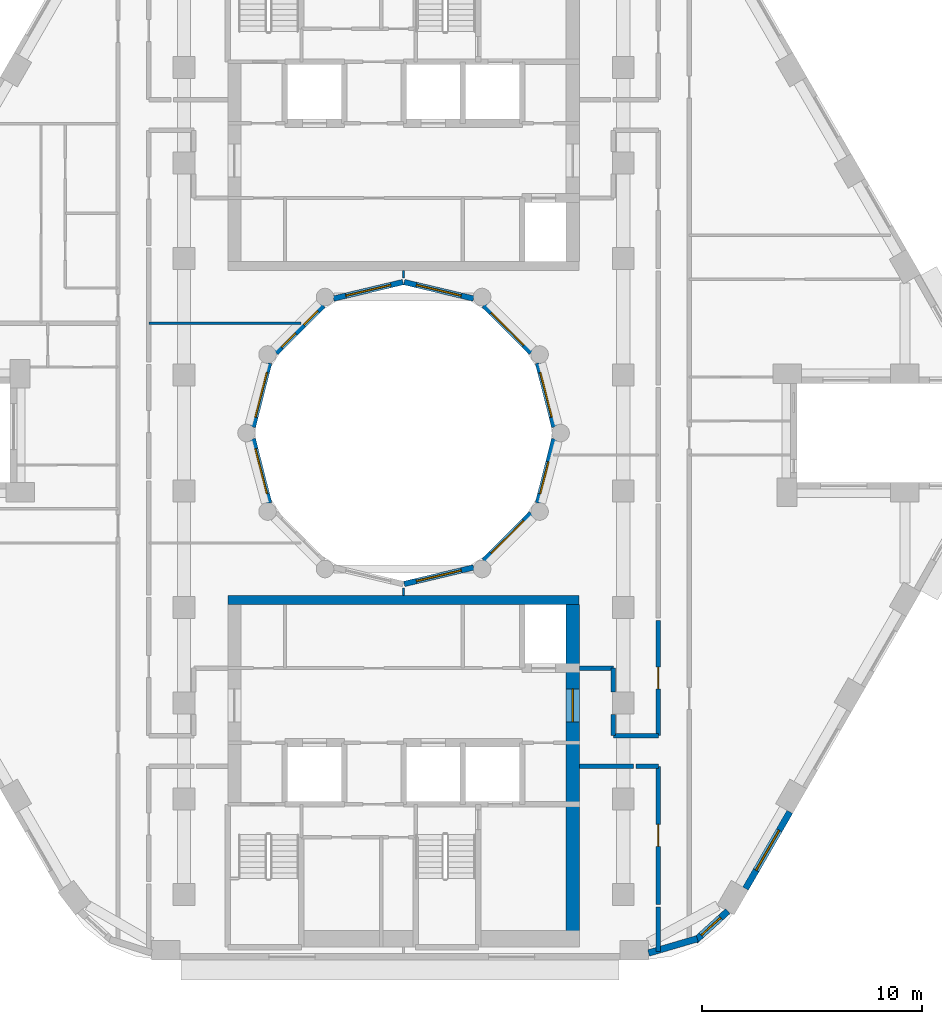
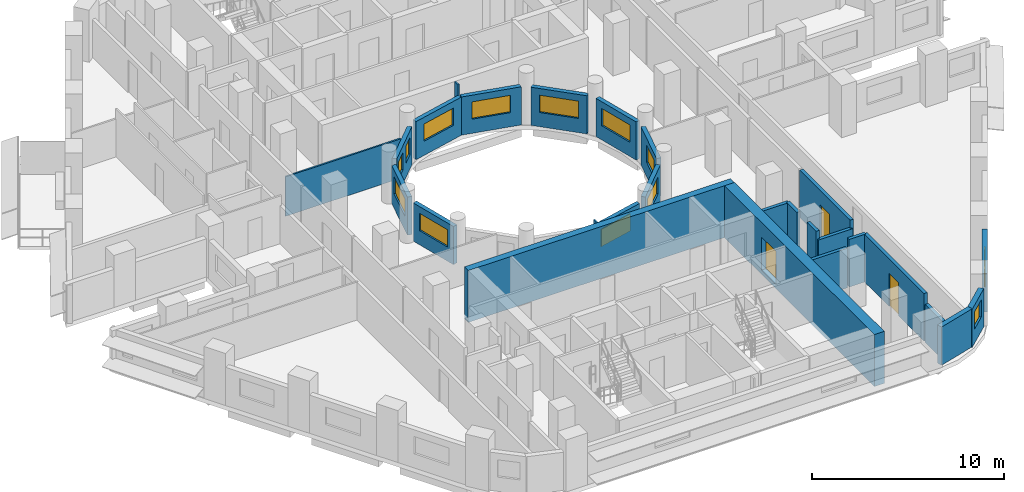
# One storey, part 5 of 13: 27 walls, 13 windows, 3 doors, 16 openings.
"""IFC4 building model written with IfcOpenShell, lengths in metres."""

from ifc_helpers import new_model, si_unit, direction, frame, frame_2d, origin, place, context, subcontext, project, spatial, rectangle, extrude, material, layer, layer_set, type_object, element, fill, save


model = new_model("IFC4")

# Units and contexts
model_context = context("Model", 3, precision=1e-05, world=origin(), true_north=direction((0.0, 1.0)))
body_context = subcontext(model_context, "Body", "Model", "MODEL_VIEW")
ifc_project = project(units=[si_unit("LENGTHUNIT", "METRE"), si_unit("AREAUNIT", "SQUARE_METRE"), si_unit("VOLUMEUNIT", "CUBIC_METRE"), si_unit("PLANEANGLEUNIT", "RADIAN"), si_unit("MASSUNIT", "GRAM", prefix="KILO")], contexts=[model_context])

# Site, building, storey
site_placement = place(None, origin())
site = spatial("IfcSite", under=ifc_project, at=site_placement, CompositionType="ELEMENT")
building_placement = place(site_placement, origin())
building = spatial("IfcBuilding", under=site, at=building_placement, Name="Nakaniwa Court", CompositionType="ELEMENT")
storey_placement = place(building_placement, frame((0.0, 0.0, 150.300048828125)))
storey = spatial("IfcBuildingStorey", under=building, at=storey_placement, Name="L39", CompositionType="ELEMENT", Elevation=150.300048828125)

# Wall
ifc_material_1 = material(Name="Acoustic double stud partition")
ifc_layer_1 = layer(ifc_material_1, 0.199951171875)
ifc_layer_set_1 = layer_set([ifc_layer_1], Name="Acoustic double stud partition")
wall_type_1 = type_object("IfcWallType", Name="Acoustic double stud partition 200", PredefinedType="PARTITIONING", material=ifc_layer_set_1)
wall_1_placement = place(storey_placement, frame((91.60009765625, 56.40087890625, 0.0), z_axis=(0.0, 0.0, 1.0), x_axis=(0.0, 1.0, 0.0)))
element("IfcWall", 1, at=wall_1_placement, inside=storey, type_object=wall_type_1, Name="Partition PW-067", PredefinedType="PARTITIONING", context=body_context, shape_type="SweptSolid", body=[
    extrude(rectangle(XDim=2.02197265625, YDim=0.199951171875, at=frame_2d((1.010986328125, 0.0))), origin(), (0.0, 0.0, 1.0), 2.405029296875),
])

# Wall, opening, door
wall_2_placement = place(storey_placement, frame((91.60009765625, 58.537109375, 0.0), z_axis=(0.0, 0.0, 1.0), x_axis=(0.0, 1.0, 0.0)))
wall_2 = element("IfcWall", 2, at=wall_2_placement, inside=storey, type_object=wall_type_1, Name="Partition PW-068", PredefinedType="PARTITIONING", context=body_context, shape_type="SweptSolid", body=[
    extrude(rectangle(XDim=6.287841796875, YDim=0.199951171875, at=frame_2d((3.14404296875, 0.0))), origin(), (0.0, 0.0, 1.0), 3.02490234375),
])
opening_1_placement = place(wall_2_placement, frame((2.64501953125, 0.0, 0.0)))
opening_1 = element("IfcOpeningElement", 3, at=opening_1_placement, cuts=wall_2, Name="Opening D-02-01", PredefinedType="OPENING", context=body_context, shape_type="SweptSolid", body=[
    extrude(rectangle(XDim=1.0, YDim=2.10009765625, at=frame_2d((0.5, 1.050048828125))), frame((0.0, 0.10986328125, 0.0), z_axis=(0.0, -1.0, 0.0), x_axis=(1.0, 0.0, 0.0)), (0.0, 0.0, 1.0), 0.219970703125),
])
ifc_material_2 = material(Name="Solid core timber door set, black veneer", Category="wood")
door_type_1 = type_object("IfcDoorType", Name="Internal door 1000", OperationType="NOTDEFINED", PredefinedType="DOOR", material=ifc_material_2)
door_1_placement = place(opening_1_placement, origin())
door_1 = element("IfcDoor", 4, at=door_1_placement, inside=storey, type_object=door_type_1, Name="Door D-02-01 L39-023", OperationType="SINGLE_SWING_RIGHT", OverallHeight=2.10009765625, OverallWidth=1.0, PredefinedType="DOOR", context=body_context, shape_type="SweptSolid", body=[
    extrude(rectangle(XDim=1.0, YDim=2.10009765625, at=frame_2d((0.5, 1.050048828125))), frame((0.0, 0.02490234375, 0.0), z_axis=(0.0, -1.0, 0.0), x_axis=(1.0, 0.0, 0.0)), (0.0, 0.0, 1.0), 0.050048828125),
])
fill(opening_1, door_1)

wall_3_placement = place(storey_placement, frame((91.60009765625, 66.22509765625, 0.0), z_axis=(0.0, 0.0, 1.0), x_axis=(0.0, 1.0, 0.0)))
wall_3 = element("IfcWall", 5, at=wall_3_placement, inside=storey, type_object=wall_type_1, Name="Partition PW-069", PredefinedType="PARTITIONING", context=body_context, shape_type="SweptSolid", body=[
    extrude(rectangle(XDim=5.247802734375, YDim=0.199951171875, at=frame_2d((2.6240234375, 0.0))), origin(), (0.0, 0.0, 1.0), 3.02490234375),
])
opening_2_placement = place(wall_3_placement, frame((2.123046875, 0.0, 0.0)))
opening_2 = element("IfcOpeningElement", 6, at=opening_2_placement, cuts=wall_3, Name="Opening D-02-03", PredefinedType="OPENING", context=body_context, shape_type="SweptSolid", body=[
    extrude(rectangle(XDim=1.0, YDim=2.10009765625, at=frame_2d((0.5, 1.050048828125))), frame((0.0, 0.10986328125, 0.0), z_axis=(0.0, -1.0, 0.0), x_axis=(1.0, 0.0, 0.0)), (0.0, 0.0, 1.0), 0.219970703125),
])
door_2_placement = place(opening_2_placement, origin())
door_2 = element("IfcDoor", 7, at=door_2_placement, inside=storey, type_object=door_type_1, Name="Door D-02-03 L39-025", OperationType="SINGLE_SWING_RIGHT", OverallHeight=2.10009765625, OverallWidth=1.0, PredefinedType="DOOR", context=body_context, shape_type="SweptSolid", body=[
    extrude(rectangle(XDim=1.0, YDim=2.10009765625, at=frame_2d((0.5, 1.050048828125))), frame((0.0, 0.02490234375, 0.0), z_axis=(0.0, -1.0, 0.0), x_axis=(1.0, 0.0, 0.0)), (0.0, 0.0, 1.0), 0.050048828125),
])
fill(opening_2, door_2)

# Walls
wall_4_placement = place(storey_placement, frame((88.0, 64.824951171875, 0.0), z_axis=(0.0, 0.0, 1.0), x_axis=(1.0, 0.0, 0.0)))
element("IfcWall", 8, at=wall_4_placement, inside=storey, type_object=wall_type_1, Name="Partition PW-078", PredefinedType="PARTITIONING", context=body_context, shape_type="SweptSolid", body=[
    extrude(rectangle(XDim=2.462890625, YDim=0.199951171875, at=frame_2d((1.2314453125, 0.0))), origin(), (0.0, 0.0, 1.0), 2.5048828125),
])
wall_5_placement = place(storey_placement, frame((90.5771484375, 64.824951171875, 0.0), z_axis=(0.0, 0.0, 1.0), x_axis=(1.0, 0.0, 0.0)))
element("IfcWall", 9, at=wall_5_placement, inside=storey, type_object=wall_type_1, Name="Partition PW-079", PredefinedType="PARTITIONING", context=body_context, shape_type="SweptSolid", body=[
    extrude(rectangle(XDim=1.02294921875, YDim=0.199951171875, at=frame_2d((0.511474609375, 0.0))), origin(), (0.0, 0.0, 1.0), 3.02490234375),
])
wall_6_placement = place(storey_placement, frame((88.0, 69.300048828125, 0.0), z_axis=(0.0, 0.0, 1.0), x_axis=(1.0, 0.0, 0.0)))
element("IfcWall", 10, at=wall_6_placement, inside=storey, type_object=wall_type_1, Name="Partition PW-082", PredefinedType="PARTITIONING", context=body_context, shape_type="SweptSolid", body=[
    extrude(rectangle(XDim=1.550048828125, YDim=0.199951171875, at=frame_2d((0.77490234375, 0.0))), origin(), (0.0, 0.0, 1.0), 3.02490234375),
])
wall_7_placement = place(storey_placement, frame((89.550048828125, 66.22509765625, 0.0), z_axis=(0.0, 0.0, 1.0), x_axis=(0.0, 1.0, 0.0)))
element("IfcWall", 11, at=wall_7_placement, inside=storey, type_object=wall_type_1, Name="Partition PW-083", PredefinedType="PARTITIONING", context=body_context, shape_type="SweptSolid", body=[
    extrude(rectangle(XDim=0.957763671875, YDim=0.199951171875, at=frame_2d((0.47900390625, 0.0))), origin(), (0.0, 0.0, 1.0), 3.02490234375),
])
wall_8_placement = place(storey_placement, frame((89.550048828125, 68.21728515625, 0.0), z_axis=(0.0, 0.0, 1.0), x_axis=(0.0, 1.0, 0.0)))
element("IfcWall", 12, at=wall_8_placement, inside=storey, type_object=wall_type_1, Name="Partition PW-084", PredefinedType="PARTITIONING", context=body_context, shape_type="SweptSolid", body=[
    extrude(rectangle(XDim=1.082763671875, YDim=0.199951171875, at=frame_2d((0.54150390625, 0.0))), origin(), (0.0, 0.0, 1.0), 3.02490234375),
])
wall_9_placement = place(storey_placement, frame((89.550048828125, 66.22509765625, 0.0), z_axis=(0.0, 0.0, 1.0), x_axis=(1.0, 0.0, 0.0)))
element("IfcWall", 13, at=wall_9_placement, inside=storey, type_object=wall_type_1, Name="Partition PW-088", PredefinedType="PARTITIONING", context=body_context, shape_type="SweptSolid", body=[
    extrude(rectangle(XDim=2.050048828125, YDim=0.199951171875, at=frame_2d((1.02490234375, 0.0))), origin(), (0.0, 0.0, 1.0), 2.5048828125),
])
ifc_material_3 = material(Name="Charcoal ceramic cladding")
ifc_layer_2 = layer(ifc_material_3, 0.02, Name="Ceramic cladding")
ifc_material_4 = material(Name="Ventilated air cavity")
ifc_layer_3 = layer(ifc_material_4, 0.04, ventilated=True, Name="Ventilated cavity")
ifc_material_5 = material(Name="Mineral wool insulation")
ifc_layer_4 = layer(ifc_material_5, 0.1, Name="Insulation")
ifc_material_6 = material(Name="Cement bonded sheathing board")
ifc_layer_5 = layer(ifc_material_6, 0.012, Name="Sheathing")
ifc_material_7 = material(Name="Cold-formed galvanised stud frame with mineral wool infill")
ifc_layer_6 = layer(ifc_material_7, 0.1, Name="Stud frame")
ifc_material_8 = material(Name="Fire-rated gypsum plasterboard lining")
ifc_layer_7 = layer(ifc_material_8, 0.028, Name="Lining")
ifc_layer_set_2 = layer_set([ifc_layer_2, ifc_layer_3, ifc_layer_4, ifc_layer_5, ifc_layer_6, ifc_layer_7], Name="Charcoal ceramic faced external wall system")
wall_type_2 = type_object("IfcWallType", Name="Black ceramic faced external wall 300", PredefinedType="SOLIDWALL", material=ifc_layer_set_2)
wall_10_placement = place(storey_placement, frame((91.1533203125, 56.328125, 0.0), z_axis=(0.0, 0.0, 1.0), x_axis=(0.959473072336, 0.281800325517, 0.0)))
element("IfcWall", 14, at=wall_10_placement, inside=storey, type_object=wall_type_2, Name="L39 external wall 27", PredefinedType="SOLIDWALL", context=body_context, shape_type="SweptSolid", body=[
    extrude(rectangle(XDim=2.3115234375, YDim=0.300048828125, at=frame_2d((1.15576171875, 0.0))), origin(), (0.0, 0.0, 1.0), 2.425048828125),
])

# Wall, opening, window
wall_11_placement = place(storey_placement, frame((93.2783203125, 56.890380859375, 0.0), z_axis=(0.0, 0.0, 1.0), x_axis=(0.740652597499, 0.671888182526, 0.0)))
wall_11 = element("IfcWall", 15, at=wall_11_placement, inside=storey, type_object=wall_type_2, Name="L39 external wall 28", PredefinedType="SOLIDWALL", context=body_context, shape_type="SweptSolid", body=[
    extrude(rectangle(XDim=1.998779296875, YDim=0.300048828125, at=frame_2d((0.99951171875, 0.0))), origin(), (0.0, 0.0, 1.0), 2.425048828125),
])
opening_3_placement = place(wall_11_placement, frame((0.359619140625, 0.0, 0.89990234375)))
opening_3 = element("IfcOpeningElement", 16, at=opening_3_placement, cuts=wall_11, Name="Opening W6.27", PredefinedType="OPENING", context=body_context, shape_type="SweptSolid", body=[
    extrude(rectangle(XDim=1.199951171875, YDim=1.10009765625, at=frame_2d((0.60009765625, 0.550048828125))), frame((0.0, 0.159912109375, 0.0), z_axis=(0.0, -1.0, 0.0), x_axis=(1.0, 0.0, 0.0)), (0.0, 0.0, 1.0), 0.320068359375),
])
ifc_material_9 = material(Name="Black anodised aluminium frame with dark low-E laminated double glazing", Category="aluminium")
window_type_1 = type_object("IfcWindowType", Name="Dark glass window 1200x1100 sill 900", PartitioningType="SINGLE_PANEL", PredefinedType="WINDOW", material=ifc_material_9)
window_1_placement = place(opening_3_placement, origin())
window_1 = element("IfcWindow", 17, at=window_1_placement, inside=storey, type_object=window_type_1, Name="L39 habitable room window 28-0", OverallHeight=1.10009765625, OverallWidth=1.199951171875, PartitioningType="SINGLE_PANEL", PredefinedType="WINDOW", context=body_context, shape_type="SweptSolid", body=[
    extrude(rectangle(XDim=1.199951171875, YDim=1.10009765625, at=frame_2d((0.60009765625, 0.550048828125))), frame((0.0, 0.030029296875, 0.0), z_axis=(0.0, -1.0, 0.0), x_axis=(1.0, 0.0, 0.0)), (0.0, 0.0, 1.0), 0.06005859375),
])
fill(opening_3, window_1)

wall_12_placement = place(storey_placement, frame((95.565185546875, 59.260009765625, 0.0), z_axis=(0.0, 0.0, 1.0), x_axis=(0.500031546601, 0.86600718958, 0.0)))
wall_12 = element("IfcWall", 18, at=wall_12_placement, inside=storey, type_object=wall_type_2, Name="L39 external wall 29", PredefinedType="SOLIDWALL", context=body_context, shape_type="SweptSolid", body=[
    extrude(rectangle(XDim=4.033935546875, YDim=0.300048828125, at=frame_2d((2.01708984375, 0.0))), origin(), (0.0, 0.0, 1.0), 2.425048828125),
])
opening_4_placement = place(wall_12_placement, frame((0.967041015625, 0.0, 0.89990234375)))
opening_4 = element("IfcOpeningElement", 19, at=opening_4_placement, cuts=wall_12, Name="Opening W7.28", PredefinedType="OPENING", context=body_context, shape_type="SweptSolid", body=[
    extrude(rectangle(XDim=2.10009765625, YDim=1.10009765625, at=frame_2d((1.050048828125, 0.550048828125))), frame((0.0, 0.159912109375, 0.0), z_axis=(0.0, -1.0, 0.0), x_axis=(1.0, 0.0, 0.0)), (0.0, 0.0, 1.0), 0.320068359375),
])
window_type_2 = type_object("IfcWindowType", Name="Dark glass window 2100x1100 sill 900", PartitioningType="SINGLE_PANEL", PredefinedType="WINDOW", material=ifc_material_9)
window_2_placement = place(opening_4_placement, origin())
window_2 = element("IfcWindow", 20, at=window_2_placement, inside=storey, type_object=window_type_2, Name="L39 habitable room window 29-0", OverallHeight=1.10009765625, OverallWidth=2.10009765625, PartitioningType="SINGLE_PANEL", PredefinedType="WINDOW", context=body_context, shape_type="SweptSolid", body=[
    extrude(rectangle(XDim=2.10009765625, YDim=1.10009765625, at=frame_2d((1.050048828125, 0.550048828125))), frame((0.0, 0.030029296875, 0.0), z_axis=(0.0, -1.0, 0.0), x_axis=(1.0, 0.0, 0.0)), (0.0, 0.0, 1.0), 0.06005859375),
])
fill(opening_4, window_2)

ifc_layer_8 = layer(ifc_material_3, 0.02, Name="Ceramic cladding")
ifc_layer_9 = layer(ifc_material_4, 0.04, ventilated=True, Name="Ventilated cavity")
ifc_layer_10 = layer(ifc_material_5, 0.075, Name="Insulation")
ifc_layer_11 = layer(ifc_material_6, 0.012, Name="Sheathing")
ifc_layer_12 = layer(ifc_material_7, 0.075, Name="Stud frame")
ifc_layer_13 = layer(ifc_material_8, 0.028, Name="Lining")
ifc_layer_set_3 = layer_set([ifc_layer_8, ifc_layer_9, ifc_layer_10, ifc_layer_11, ifc_layer_12, ifc_layer_13], Name="Charcoal ceramic faced external wall system")
wall_type_3 = type_object("IfcWallType", Name="Charcoal ceramic faced well wall 250", PredefinedType="SOLIDWALL", material=ifc_layer_set_3)
wall_13_placement = place(storey_placement, frame((86.8603515625, 79.72998046875, 0.0), z_axis=(0.0, 0.0, 1.0), x_axis=(-0.247055971283, -0.969001211069, 0.0)))
wall_13 = element("IfcWall", 21, at=wall_13_placement, inside=storey, type_object=wall_type_3, Name="L39 external wall 36", PredefinedType="SOLIDWALL", context=body_context, shape_type="SweptSolid", body=[
    extrude(rectangle(XDim=3.010009765625, YDim=0.25, at=frame_2d((1.5048828125, 0.0))), origin(), (0.0, 0.0, 1.0), 2.425048828125),
])
opening_5_placement = place(wall_13_placement, frame((1.077392578125, 0.0, 0.89990234375)))
opening_5 = element("IfcOpeningElement", 22, at=opening_5_placement, cuts=wall_13, Name="Opening W5.36", PredefinedType="OPENING", context=body_context, shape_type="SweptSolid", body=[
    extrude(rectangle(XDim=1.5, YDim=1.10009765625, at=frame_2d((0.75, 0.550048828125))), frame((0.0, 0.135009765625, 0.0), z_axis=(0.0, -1.0, 0.0), x_axis=(1.0, 0.0, 0.0)), (0.0, 0.0, 1.0), 0.27001953125),
])
window_type_3 = type_object("IfcWindowType", Name="Dark glass window 1500x1100 sill 900", PartitioningType="SINGLE_PANEL", PredefinedType="WINDOW", material=ifc_material_9)
window_3_placement = place(opening_5_placement, origin())
window_3 = element("IfcWindow", 23, at=window_3_placement, inside=storey, type_object=window_type_3, Name="L39 habitable room window 36-1", OverallHeight=1.10009765625, OverallWidth=1.5, PartitioningType="SINGLE_PANEL", PredefinedType="WINDOW", context=body_context, shape_type="SweptSolid", body=[
    extrude(rectangle(XDim=1.5, YDim=1.10009765625, at=frame_2d((0.75, 0.550048828125))), frame((0.0, 0.030029296875, 0.0), z_axis=(0.0, -1.0, 0.0), x_axis=(1.0, 0.0, 0.0)), (0.0, 0.0, 1.0), 0.06005859375),
])
fill(opening_5, window_3)

wall_14_placement = place(storey_placement, frame((85.8056640625, 76.339111328125, 0.0), z_axis=(0.0, 0.0, 1.0), x_axis=(-0.707106781187, -0.707106781187, 0.0)))
wall_14 = element("IfcWall", 24, at=wall_14_placement, inside=storey, type_object=wall_type_3, Name="L39 external wall 37", PredefinedType="SOLIDWALL", context=body_context, shape_type="SweptSolid", body=[
    extrude(rectangle(XDim=3.033203125, YDim=0.25, at=frame_2d((1.5166015625, 0.0))), origin(), (0.0, 0.0, 1.0), 2.425048828125),
])
opening_6_placement = place(wall_14_placement, frame((0.466552734375, 0.0, 0.89990234375)))
opening_6 = element("IfcOpeningElement", 25, at=opening_6_placement, cuts=wall_14, Name="Opening W7.37", PredefinedType="OPENING", context=body_context, shape_type="SweptSolid", body=[
    extrude(rectangle(XDim=2.10009765625, YDim=1.10009765625, at=frame_2d((1.050048828125, 0.550048828125))), frame((0.0, 0.135009765625, 0.0), z_axis=(0.0, -1.0, 0.0), x_axis=(1.0, 0.0, 0.0)), (0.0, 0.0, 1.0), 0.27001953125),
])
window_4_placement = place(opening_6_placement, origin())
window_4 = element("IfcWindow", 26, at=window_4_placement, inside=storey, type_object=window_type_2, Name="L39 habitable room window 37-0", OverallHeight=1.10009765625, OverallWidth=2.10009765625, PartitioningType="SINGLE_PANEL", PredefinedType="WINDOW", context=body_context, shape_type="SweptSolid", body=[
    extrude(rectangle(XDim=2.10009765625, YDim=1.10009765625, at=frame_2d((1.050048828125, 0.550048828125))), frame((0.0, 0.030029296875, 0.0), z_axis=(0.0, -1.0, 0.0), x_axis=(1.0, 0.0, 0.0)), (0.0, 0.0, 1.0), 0.06005859375),
])
fill(opening_6, window_4)

wall_15_placement = place(storey_placement, frame((83.186279296875, 73.880615234375, 0.0), z_axis=(0.0, 0.0, 1.0), x_axis=(-0.972773113459, -0.231759508395, 0.0)))
wall_15 = element("IfcWall", 27, at=wall_15_placement, inside=storey, type_object=wall_type_3, Name="L39 external wall 38", PredefinedType="SOLIDWALL", context=body_context, shape_type="SweptSolid", body=[
    extrude(rectangle(XDim=3.24560546875, YDim=0.25, at=frame_2d((1.622802734375, 0.0))), origin(), (0.0, 0.0, 1.0), 2.425048828125),
])
opening_7_placement = place(wall_15_placement, frame((0.57275390625, 0.0, 0.89990234375)))
opening_7 = element("IfcOpeningElement", 28, at=opening_7_placement, cuts=wall_15, Name="Opening W7.38", PredefinedType="OPENING", context=body_context, shape_type="SweptSolid", body=[
    extrude(rectangle(XDim=2.10009765625, YDim=1.10009765625, at=frame_2d((1.050048828125, 0.550048828125))), frame((0.0, 0.135009765625, 0.0), z_axis=(0.0, -1.0, 0.0), x_axis=(1.0, 0.0, 0.0)), (0.0, 0.0, 1.0), 0.27001953125),
])
window_5_placement = place(opening_7_placement, origin())
window_5 = element("IfcWindow", 29, at=window_5_placement, inside=storey, type_object=window_type_2, Name="L39 habitable room window 38-0", OverallHeight=1.10009765625, OverallWidth=2.10009765625, PartitioningType="SINGLE_PANEL", PredefinedType="WINDOW", context=body_context, shape_type="SweptSolid", body=[
    extrude(rectangle(XDim=2.10009765625, YDim=1.10009765625, at=frame_2d((1.050048828125, 0.550048828125))), frame((0.0, 0.030029296875, 0.0), z_axis=(0.0, -1.0, 0.0), x_axis=(1.0, 0.0, 0.0)), (0.0, 0.0, 1.0), 0.06005859375),
])
fill(opening_7, window_5)

wall_16_placement = place(storey_placement, frame((73.88330078125, 76.813232421875, 0.0), z_axis=(0.0, 0.0, 1.0), x_axis=(-0.247055971283, 0.969001211069, 0.0)))
wall_16 = element("IfcWall", 30, at=wall_16_placement, inside=storey, type_object=wall_type_3, Name="L39 external wall 41", PredefinedType="SOLIDWALL", context=body_context, shape_type="SweptSolid", body=[
    extrude(rectangle(XDim=3.010009765625, YDim=0.25, at=frame_2d((1.5048828125, 0.0))), origin(), (0.0, 0.0, 1.0), 2.425048828125),
])
opening_8_placement = place(wall_16_placement, frame((0.441162109375, 0.0, 0.89990234375)))
opening_8 = element("IfcOpeningElement", 31, at=opening_8_placement, cuts=wall_16, Name="Opening W7.42", PredefinedType="OPENING", context=body_context, shape_type="SweptSolid", body=[
    extrude(rectangle(XDim=2.10009765625, YDim=1.10009765625, at=frame_2d((1.050048828125, 0.550048828125))), frame((0.0, 0.135009765625, 0.0), z_axis=(0.0, -1.0, 0.0), x_axis=(1.0, 0.0, 0.0)), (0.0, 0.0, 1.0), 0.27001953125),
])
window_6_placement = place(opening_8_placement, origin())
window_6 = element("IfcWindow", 32, at=window_6_placement, inside=storey, type_object=window_type_2, Name="L39 habitable room window 41-0", OverallHeight=1.10009765625, OverallWidth=2.10009765625, PartitioningType="SINGLE_PANEL", PredefinedType="WINDOW", context=body_context, shape_type="SweptSolid", body=[
    extrude(rectangle(XDim=2.10009765625, YDim=1.10009765625, at=frame_2d((1.050048828125, 0.550048828125))), frame((0.0, 0.030029296875, 0.0), z_axis=(0.0, -1.0, 0.0), x_axis=(1.0, 0.0, 0.0)), (0.0, 0.0, 1.0), 0.06005859375),
])
fill(opening_8, window_6)

wall_17_placement = place(storey_placement, frame((73.1396484375, 80.27001953125, 0.0), z_axis=(0.0, 0.0, 1.0), x_axis=(0.247055971283, 0.969001211069, 0.0)))
wall_17 = element("IfcWall", 33, at=wall_17_placement, inside=storey, type_object=wall_type_3, Name="L39 external wall 42", PredefinedType="SOLIDWALL", context=body_context, shape_type="SweptSolid", body=[
    extrude(rectangle(XDim=3.010009765625, YDim=0.25, at=frame_2d((1.5048828125, 0.0))), origin(), (0.0, 0.0, 1.0), 2.425048828125),
])
opening_9_placement = place(wall_17_placement, frame((0.46875, 0.0, 0.89990234375)))
opening_9 = element("IfcOpeningElement", 34, at=opening_9_placement, cuts=wall_17, Name="Opening W7.43", PredefinedType="OPENING", context=body_context, shape_type="SweptSolid", body=[
    extrude(rectangle(XDim=2.10009765625, YDim=1.10009765625, at=frame_2d((1.050048828125, 0.550048828125))), frame((0.0, 0.135009765625, 0.0), z_axis=(0.0, -1.0, 0.0), x_axis=(1.0, 0.0, 0.0)), (0.0, 0.0, 1.0), 0.27001953125),
])
window_7_placement = place(opening_9_placement, origin())
window_7 = element("IfcWindow", 35, at=window_7_placement, inside=storey, type_object=window_type_2, Name="L39 habitable room window 42-0", OverallHeight=1.10009765625, OverallWidth=2.10009765625, PartitioningType="SINGLE_PANEL", PredefinedType="WINDOW", context=body_context, shape_type="SweptSolid", body=[
    extrude(rectangle(XDim=2.10009765625, YDim=1.10009765625, at=frame_2d((1.050048828125, 0.550048828125))), frame((0.0, 0.030029296875, 0.0), z_axis=(0.0, -1.0, 0.0), x_axis=(1.0, 0.0, 0.0)), (0.0, 0.0, 1.0), 0.06005859375),
])
fill(opening_9, window_7)

# Wall, openings, windows
wall_18_placement = place(storey_placement, frame((74.1943359375, 83.660888671875, 0.0), z_axis=(0.0, 0.0, 1.0), x_axis=(0.707106781187, 0.707106781187, 0.0)))
wall_18 = element("IfcWall", 36, at=wall_18_placement, inside=storey, type_object=wall_type_3, Name="L39 external wall 43", PredefinedType="SOLIDWALL", context=body_context, shape_type="SweptSolid", body=[
    extrude(rectangle(XDim=3.033203125, YDim=0.25, at=frame_2d((1.5166015625, 0.0))), origin(), (0.0, 0.0, 1.0), 2.425048828125),
])
opening_10_placement = place(wall_18_placement, frame((0.353271484375, 0.0, 0.89990234375)))
opening_10 = element("IfcOpeningElement", 37, at=opening_10_placement, cuts=wall_18, Name="Opening W9.44", PredefinedType="OPENING", context=body_context, shape_type="SweptSolid", body=[
    extrude(rectangle(XDim=0.89990234375, YDim=1.10009765625, at=frame_2d((0.449951171875, 0.550048828125))), frame((0.0, 0.135009765625, 0.0), z_axis=(0.0, -1.0, 0.0), x_axis=(1.0, 0.0, 0.0)), (0.0, 0.0, 1.0), 0.27001953125),
])
opening_11_placement = place(wall_18_placement, frame((1.787841796875, 0.0, 0.89990234375)))
opening_11 = element("IfcOpeningElement", 38, at=opening_11_placement, cuts=wall_18, Name="Opening W9.45", PredefinedType="OPENING", context=body_context, shape_type="SweptSolid", body=[
    extrude(rectangle(XDim=0.89990234375, YDim=1.10009765625, at=frame_2d((0.449951171875, 0.550048828125))), frame((0.0, 0.135009765625, 0.0), z_axis=(0.0, -1.0, 0.0), x_axis=(1.0, 0.0, 0.0)), (0.0, 0.0, 1.0), 0.27001953125),
])
window_type_4 = type_object("IfcWindowType", Name="Dark glass window 900x1100 sill 900", PartitioningType="SINGLE_PANEL", PredefinedType="WINDOW", material=ifc_material_9)
window_8_placement = place(opening_10_placement, origin())
window_8 = element("IfcWindow", 39, at=window_8_placement, inside=storey, type_object=window_type_4, Name="L39 habitable room window 43-0", OverallHeight=1.10009765625, OverallWidth=0.89990234375, PartitioningType="SINGLE_PANEL", PredefinedType="WINDOW", context=body_context, shape_type="SweptSolid", body=[
    extrude(rectangle(XDim=0.89990234375, YDim=1.10009765625, at=frame_2d((0.449951171875, 0.550048828125))), frame((0.0, 0.030029296875, 0.0), z_axis=(0.0, -1.0, 0.0), x_axis=(1.0, 0.0, 0.0)), (0.0, 0.0, 1.0), 0.06005859375),
])
fill(opening_10, window_8)
window_9_placement = place(opening_11_placement, origin())
window_9 = element("IfcWindow", 40, at=window_9_placement, inside=storey, type_object=window_type_4, Name="L39 habitable room window 43-1", OverallHeight=1.10009765625, OverallWidth=0.89990234375, PartitioningType="SINGLE_PANEL", PredefinedType="WINDOW", context=body_context, shape_type="SweptSolid", body=[
    extrude(rectangle(XDim=0.89990234375, YDim=1.10009765625, at=frame_2d((0.449951171875, 0.550048828125))), frame((0.0, 0.030029296875, 0.0), z_axis=(0.0, -1.0, 0.0), x_axis=(1.0, 0.0, 0.0)), (0.0, 0.0, 1.0), 0.06005859375),
])
fill(opening_11, window_9)

# Wall, opening, window
wall_19_placement = place(storey_placement, frame((76.813720703125, 86.119384765625, 0.0), z_axis=(0.0, 0.0, 1.0), x_axis=(0.972773113459, 0.231759508395, 0.0)))
wall_19 = element("IfcWall", 41, at=wall_19_placement, inside=storey, type_object=wall_type_3, Name="L39 external wall 44", PredefinedType="SOLIDWALL", context=body_context, shape_type="SweptSolid", body=[
    extrude(rectangle(XDim=3.24560546875, YDim=0.25, at=frame_2d((1.622802734375, 0.0))), origin(), (0.0, 0.0, 1.0), 2.425048828125),
])
opening_12_placement = place(wall_19_placement, frame((0.57275390625, 0.0, 0.89990234375)))
opening_12 = element("IfcOpeningElement", 42, at=opening_12_placement, cuts=wall_19, Name="Opening W7.46", PredefinedType="OPENING", context=body_context, shape_type="SweptSolid", body=[
    extrude(rectangle(XDim=2.10009765625, YDim=1.10009765625, at=frame_2d((1.050048828125, 0.550048828125))), frame((0.0, 0.135009765625, 0.0), z_axis=(0.0, -1.0, 0.0), x_axis=(1.0, 0.0, 0.0)), (0.0, 0.0, 1.0), 0.27001953125),
])
window_10_placement = place(opening_12_placement, origin())
window_10 = element("IfcWindow", 43, at=window_10_placement, inside=storey, type_object=window_type_2, Name="L39 habitable room window 44-0", OverallHeight=1.10009765625, OverallWidth=2.10009765625, PartitioningType="SINGLE_PANEL", PredefinedType="WINDOW", context=body_context, shape_type="SweptSolid", body=[
    extrude(rectangle(XDim=2.10009765625, YDim=1.10009765625, at=frame_2d((1.050048828125, 0.550048828125))), frame((0.0, 0.030029296875, 0.0), z_axis=(0.0, -1.0, 0.0), x_axis=(1.0, 0.0, 0.0)), (0.0, 0.0, 1.0), 0.06005859375),
])
fill(opening_12, window_10)

wall_20_placement = place(storey_placement, frame((80.029052734375, 86.87158203125, 0.0), z_axis=(0.0, 0.0, 1.0), x_axis=(0.972773113459, -0.231759508395, 0.0)))
wall_20 = element("IfcWall", 44, at=wall_20_placement, inside=storey, type_object=wall_type_3, Name="L39 external wall 45", PredefinedType="SOLIDWALL", context=body_context, shape_type="SweptSolid", body=[
    extrude(rectangle(XDim=3.24560546875, YDim=0.25, at=frame_2d((1.622802734375, 0.0))), origin(), (0.0, 0.0, 1.0), 2.425048828125),
])
opening_13_placement = place(wall_20_placement, frame((0.57275390625, 0.0, 0.89990234375)))
opening_13 = element("IfcOpeningElement", 45, at=opening_13_placement, cuts=wall_20, Name="Opening W7.47", PredefinedType="OPENING", context=body_context, shape_type="SweptSolid", body=[
    extrude(rectangle(XDim=2.10009765625, YDim=1.10009765625, at=frame_2d((1.050048828125, 0.550048828125))), frame((0.0, 0.135009765625, 0.0), z_axis=(0.0, -1.0, 0.0), x_axis=(1.0, 0.0, 0.0)), (0.0, 0.0, 1.0), 0.27001953125),
])
window_11_placement = place(opening_13_placement, origin())
window_11 = element("IfcWindow", 46, at=window_11_placement, inside=storey, type_object=window_type_2, Name="L39 habitable room window 45-0", OverallHeight=1.10009765625, OverallWidth=2.10009765625, PartitioningType="SINGLE_PANEL", PredefinedType="WINDOW", context=body_context, shape_type="SweptSolid", body=[
    extrude(rectangle(XDim=2.10009765625, YDim=1.10009765625, at=frame_2d((1.050048828125, 0.550048828125))), frame((0.0, 0.030029296875, 0.0), z_axis=(0.0, -1.0, 0.0), x_axis=(1.0, 0.0, 0.0)), (0.0, 0.0, 1.0), 0.06005859375),
])
fill(opening_13, window_11)

wall_21_placement = place(storey_placement, frame((83.660888671875, 85.8056640625, 0.0), z_axis=(0.0, 0.0, 1.0), x_axis=(0.707106781187, -0.707106781187, 0.0)))
wall_21 = element("IfcWall", 47, at=wall_21_placement, inside=storey, type_object=wall_type_3, Name="L39 external wall 46", PredefinedType="SOLIDWALL", context=body_context, shape_type="SweptSolid", body=[
    extrude(rectangle(XDim=3.033203125, YDim=0.25, at=frame_2d((1.5166015625, 0.0))), origin(), (0.0, 0.0, 1.0), 2.425048828125),
])
opening_14_placement = place(wall_21_placement, frame((0.466552734375, 0.0, 0.89990234375)))
opening_14 = element("IfcOpeningElement", 48, at=opening_14_placement, cuts=wall_21, Name="Opening W7.48", PredefinedType="OPENING", context=body_context, shape_type="SweptSolid", body=[
    extrude(rectangle(XDim=2.10009765625, YDim=1.10009765625, at=frame_2d((1.050048828125, 0.550048828125))), frame((0.0, 0.135009765625, 0.0), z_axis=(0.0, -1.0, 0.0), x_axis=(1.0, 0.0, 0.0)), (0.0, 0.0, 1.0), 0.27001953125),
])
window_12_placement = place(opening_14_placement, origin())
window_12 = element("IfcWindow", 49, at=window_12_placement, inside=storey, type_object=window_type_2, Name="L39 habitable room window 46-0", OverallHeight=1.10009765625, OverallWidth=2.10009765625, PartitioningType="SINGLE_PANEL", PredefinedType="WINDOW", context=body_context, shape_type="SweptSolid", body=[
    extrude(rectangle(XDim=2.10009765625, YDim=1.10009765625, at=frame_2d((1.050048828125, 0.550048828125))), frame((0.0, 0.030029296875, 0.0), z_axis=(0.0, -1.0, 0.0), x_axis=(1.0, 0.0, 0.0)), (0.0, 0.0, 1.0), 0.06005859375),
])
fill(opening_14, window_12)

wall_22_placement = place(storey_placement, frame((86.11669921875, 83.186767578125, 0.0), z_axis=(0.0, 0.0, 1.0), x_axis=(0.247055971283, -0.969001211069, 0.0)))
wall_22 = element("IfcWall", 50, at=wall_22_placement, inside=storey, type_object=wall_type_3, Name="L39 external wall 47", PredefinedType="SOLIDWALL", context=body_context, shape_type="SweptSolid", body=[
    extrude(rectangle(XDim=3.010009765625, YDim=0.25, at=frame_2d((1.5048828125, 0.0))), origin(), (0.0, 0.0, 1.0), 2.425048828125),
])
opening_15_placement = place(wall_22_placement, frame((0.441162109375, 0.0, 0.89990234375)))
opening_15 = element("IfcOpeningElement", 51, at=opening_15_placement, cuts=wall_22, Name="Opening W7.49", PredefinedType="OPENING", context=body_context, shape_type="SweptSolid", body=[
    extrude(rectangle(XDim=2.10009765625, YDim=1.10009765625, at=frame_2d((1.050048828125, 0.550048828125))), frame((0.0, 0.135009765625, 0.0), z_axis=(0.0, -1.0, 0.0), x_axis=(1.0, 0.0, 0.0)), (0.0, 0.0, 1.0), 0.27001953125),
])
window_13_placement = place(opening_15_placement, origin())
window_13 = element("IfcWindow", 52, at=window_13_placement, inside=storey, type_object=window_type_2, Name="L39 habitable room window 47-0", OverallHeight=1.10009765625, OverallWidth=2.10009765625, PartitioningType="SINGLE_PANEL", PredefinedType="WINDOW", context=body_context, shape_type="SweptSolid", body=[
    extrude(rectangle(XDim=2.10009765625, YDim=1.10009765625, at=frame_2d((1.050048828125, 0.550048828125))), frame((0.0, 0.030029296875, 0.0), z_axis=(0.0, -1.0, 0.0), x_axis=(1.0, 0.0, 0.0)), (0.0, 0.0, 1.0), 0.06005859375),
])
fill(opening_15, window_13)

# Wall, opening, door
ifc_material_10 = material(Name="Concrete C80/100", Category="concrete")
ifc_layer_14 = layer(ifc_material_10, 0.60009765625)
ifc_layer_set_4 = layer_set([ifc_layer_14], Name="Concrete C80/100")
wall_type_4 = type_object("IfcWallType", Name="Concrete core side wall 600 C80", PredefinedType="SHEAR", material=ifc_layer_set_4)
wall_23_placement = place(storey_placement, frame((87.699951171875, 72.199951171875, -0.275146484375), z_axis=(0.0, 0.0, 1.0), x_axis=(0.0, -1.0, 0.0)))
wall_23 = element("IfcWall", 53, at=wall_23_placement, inside=storey, type_object=wall_type_4, Name="Core wall SW-40", PredefinedType="SHEAR", context=body_context, shape_type="SweptSolid", body=[
    extrude(rectangle(XDim=15.599853515625, YDim=0.60009765625, at=frame_2d((7.7998046875, 0.0))), origin(), (0.0, 0.0, 1.0), 3.300048828125),
])
opening_16_placement = place(wall_23_placement, frame((3.85205078125, 0.0, 0.27490234375)))
opening_16 = element("IfcOpeningElement", 54, at=opening_16_placement, cuts=wall_23, Name="Opening D-07-03", PredefinedType="OPENING", context=body_context, shape_type="SweptSolid", body=[
    extrude(rectangle(XDim=1.5, YDim=2.10009765625, at=frame_2d((0.75, 1.050048828125))), frame((0.0, 0.31005859375, 0.0), z_axis=(0.0, -1.0, 0.0), x_axis=(1.0, 0.0, 0.0)), (0.0, 0.0, 1.0), 0.6201171875),
])
ifc_material_11 = material(Name="Glazed fire rated steel double door set", Category="steel")
door_type_2 = type_object("IfcDoorType", Name="Lobby double door 1500", OperationType="NOTDEFINED", PredefinedType="DOOR", material=ifc_material_11)
door_3_placement = place(opening_16_placement, origin())
door_3 = element("IfcDoor", 55, at=door_3_placement, inside=storey, type_object=door_type_2, Name="Door D-07-03 L39-051", OperationType="DOUBLE_DOOR_SINGLE_SWING", OverallHeight=2.10009765625, OverallWidth=1.5, PredefinedType="DOOR", context=body_context, shape_type="SweptSolid", body=[
    extrude(rectangle(XDim=1.5, YDim=2.10009765625, at=frame_2d((0.75, 1.050048828125))), frame((0.0, 0.02490234375, 0.0), z_axis=(0.0, -1.0, 0.0), x_axis=(1.0, 0.0, 0.0)), (0.0, 0.0, 1.0), 0.050048828125),
])
fill(opening_16, door_3)

# Walls
ifc_layer_15 = layer(ifc_material_10, 0.39990234375)
ifc_layer_set_5 = layer_set([ifc_layer_15], Name="Concrete C80/100")
wall_type_5 = type_object("IfcWallType", Name="Concrete core well wall 400 C80", PredefinedType="SHEAR", material=ifc_layer_set_5)
wall_24_placement = place(storey_placement, frame((72.00390625, 72.39990234375, -0.275146484375), z_axis=(0.0, 0.0, 1.0), x_axis=(1.0, 0.0, 0.0)))
element("IfcWall", 56, at=wall_24_placement, inside=storey, type_object=wall_type_5, Name="Core wall SW-135", PredefinedType="SHEAR", context=body_context, shape_type="SweptSolid", body=[
    extrude(rectangle(XDim=15.9921875, YDim=0.39990234375, at=frame_2d((7.99609375, 0.0))), origin(), (0.0, 0.0, 1.0), 3.300048828125),
])
ifc_material_12 = material(Name="Single stud plasterboard partition")
ifc_layer_16 = layer(ifc_material_12, 0.10009765625)
ifc_layer_set_6 = layer_set([ifc_layer_16], Name="Single stud plasterboard partition")
wall_type_6 = type_object("IfcWallType", Name="Single stud plasterboard partition 100", PredefinedType="PARTITIONING", material=ifc_layer_set_6)
for number, where, z_axis, x_axis, name in (
    (57, (80.0, 72.60009765625, 0.0), (0.0, 0.0, 1.0), (0.0, 1.0, 0.0), "Partition PW-112"),
    (58, (80.0, 87.048095703125, 0.0), (0.0, 0.0, 1.0), (0.0, 1.0, 0.0), "Partition PW-113"),
):
    element("IfcWall", number, at=place(storey_placement, frame(where, z_axis=z_axis, x_axis=x_axis)), inside=storey, type_object=wall_type_6, Name=name, PredefinedType="PARTITIONING", context=body_context, shape_type="SweptSolid", body=[
        extrude(rectangle(XDim=0.351806640625, YDim=0.10009765625, at=frame_2d((0.17578125, 0.0))), origin(), (0.0, 0.0, 1.0), 3.02490234375),
    ])
wall_25_placement = place(storey_placement, frame((68.40087890625, 85.0, 0.0), z_axis=(0.0, 0.0, 1.0), x_axis=(1.0, 0.0, 0.0)))
element("IfcWall", 59, at=wall_25_placement, inside=storey, type_object=wall_type_6, Name="Partition PW-128", PredefinedType="PARTITIONING", context=body_context, shape_type="SweptSolid", body=[
    extrude(rectangle(XDim=6.92578125, YDim=0.10009765625, at=frame_2d((3.462890625, 0.0))), origin(), (0.0, 0.0, 1.0), 2.5048828125),
])

save(model, "model.ifc")
